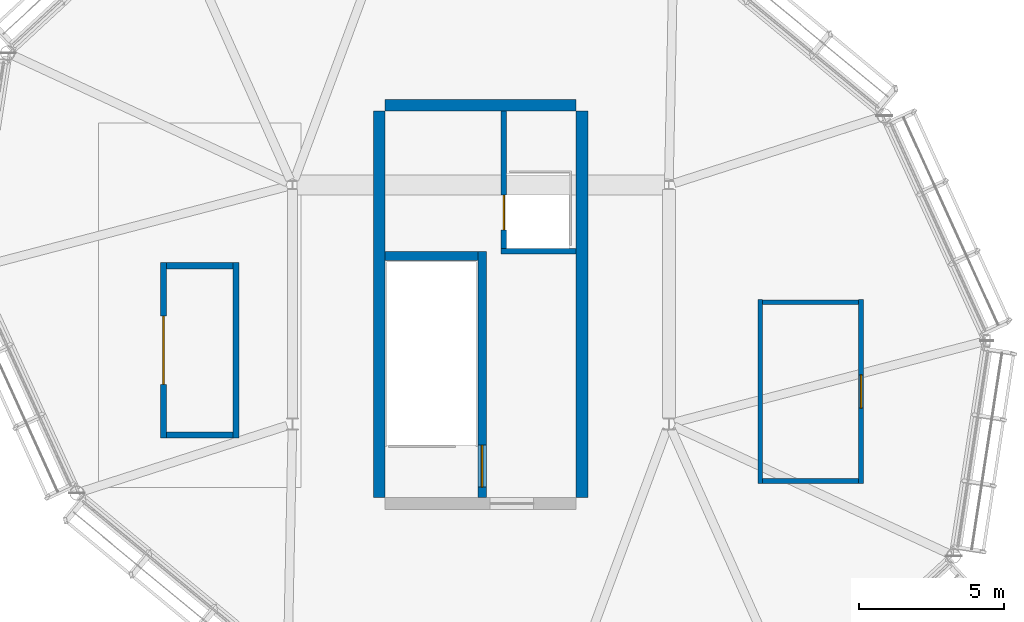
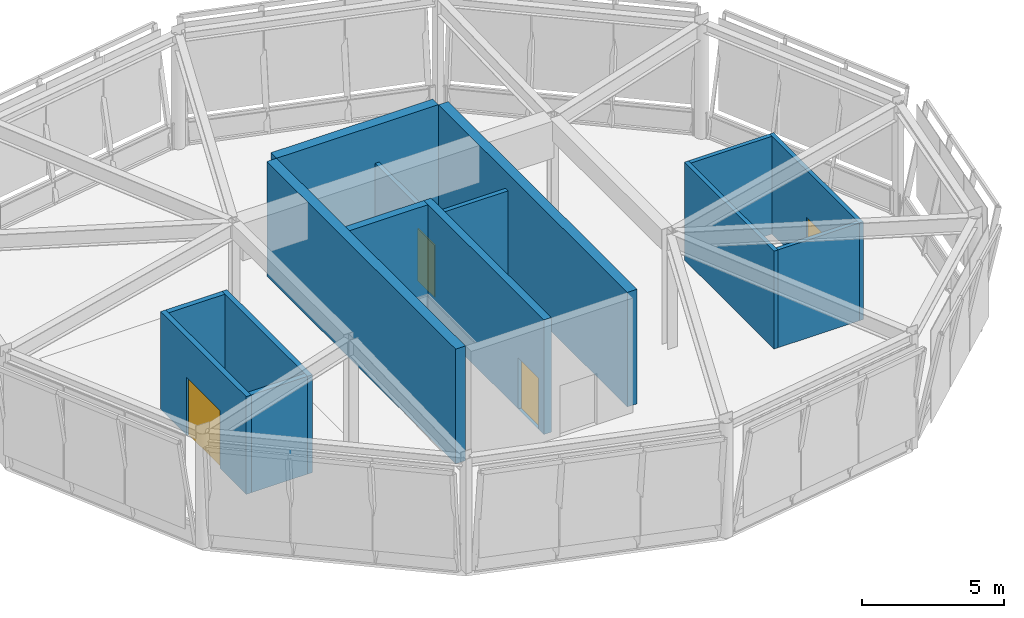
# One storey, part 104 of 113: 15 walls, 4 doors, 4 openings.
"""IFC4 building model written with IfcOpenShell, lengths in metres."""

from ifc_helpers import new_model, si_unit, direction, frame, frame_2d, origin, place, context, subcontext, project, spatial, rectangle, extrude, material, layer, layer_set, type_object, element, fill, save


model = new_model("IFC4")

# Units and contexts
model_context = context("Model", 3, precision=1e-05, world=origin(), true_north=direction((0.0, 1.0)))
body_context = subcontext(model_context, "Body", "Model", "MODEL_VIEW")
ifc_project = project(units=[si_unit("LENGTHUNIT", "METRE"), si_unit("AREAUNIT", "SQUARE_METRE"), si_unit("VOLUMEUNIT", "CUBIC_METRE"), si_unit("PLANEANGLEUNIT", "RADIAN"), si_unit("MASSUNIT", "GRAM", prefix="KILO")], contexts=[model_context])

# Site, building, storey
site_placement = place(None, origin())
site = spatial("IfcSite", under=ifc_project, at=site_placement, CompositionType="ELEMENT")
building_placement = place(site_placement, origin())
building = spatial("IfcBuilding", under=site, at=building_placement, Name="Linyun Crest Stadium", CompositionType="ELEMENT")
storey_placement = place(building_placement, frame((0.0, 0.0, 26.39990234375)))
storey = spatial("IfcBuildingStorey", under=building, at=storey_placement, Name="L06", CompositionType="ELEMENT", Elevation=26.39990234375)

# Walls
ifc_material_1 = material(Name="Concrete C50", Category="concrete")
ifc_layer_1 = layer(ifc_material_1, 0.39990234375)
ifc_layer_set_1 = layer_set([ifc_layer_1], Name="Concrete C50")
wall_type_1 = type_object("IfcWallType", Name="CW02", PredefinedType="SHEAR", material=ifc_layer_set_1)
for number, where, z_axis, x_axis, name in (
    (1, (-77.0, 77.949951171875, 0.0), (0.0, 0.0, 1.0), (0.0, 1.0, 0.0), "Core shear wall CW02 CORE-PNW L06.1"),
    (2, (-70.0, 77.949951171875, 0.0), (0.0, 0.0, 1.0), (0.0, 1.0, 0.0), "Core shear wall CW02 CORE-PNW L06.2"),
):
    element("IfcWall", number, at=place(storey_placement, frame(where, z_axis=z_axis, x_axis=x_axis)), inside=storey, type_object=wall_type_1, Name=name, PredefinedType="SHEAR", context=body_context, shape_type="SweptSolid", body=[
        extrude(rectangle(XDim=13.35009765625, YDim=0.39990234375, at=frame_2d((6.675048828125, 0.0))), origin(), (0.0, 0.0, 1.0), 4.945068359375),
    ])
wall_1_placement = place(storey_placement, frame((-76.800048828125, 91.5, 0.0), z_axis=(0.0, 0.0, 1.0), x_axis=(1.0, 0.0, 0.0)))
element("IfcWall", 3, at=wall_1_placement, inside=storey, type_object=wall_type_1, Name="Core shear wall CW02 CORE-PNW L06.4", PredefinedType="SHEAR", context=body_context, shape_type="SweptSolid", body=[
    extrude(rectangle(XDim=6.60009765625, YDim=0.39990234375, at=frame_2d((3.300048828125, 0.0))), origin(), (0.0, 0.0, 1.0), 4.945068359375),
])

# Wall, opening, door
ifc_material_2 = material(Name="Autoclaved aerated concrete block fire partition", Category="concrete")
ifc_layer_2 = layer(ifc_material_2, 0.179931640625)
ifc_layer_set_2 = layer_set([ifc_layer_2], Name="Autoclaved aerated concrete block fire partition")
wall_type_2 = type_object("IfcWallType", Name="PW12", PredefinedType="PARTITIONING", material=ifc_layer_set_2)
wall_2_placement = place(storey_placement, frame((-72.699951171875, 86.550048828125, 0.0), z_axis=(0.0, 0.0, 1.0), x_axis=(0.0, 1.0, 0.0)))
wall_2 = element("IfcWall", 4, at=wall_2_placement, inside=storey, type_object=wall_type_2, Name="Partition PW12 L06 137", PredefinedType="PARTITIONING", context=body_context, shape_type="SweptSolid", body=[
    extrude(rectangle(XDim=4.75, YDim=0.179931640625, at=frame_2d((2.375, 0.0))), origin(), (0.0, 0.0, 1.0), 3.320068359375),
])
opening_1_placement = place(wall_2_placement, frame((0.64990234375, 0.0, 0.0)))
opening_1 = element("IfcOpeningElement", 5, at=opening_1_placement, cuts=wall_2, Name="Opening LD113", PredefinedType="OPENING", context=body_context, shape_type="SweptSolid", body=[
    extrude(rectangle(XDim=1.199951171875, YDim=2.25, at=frame_2d((0.60009765625, 1.125))), frame((0.0, 0.099853515625, 0.0), z_axis=(0.0, -1.0, 0.0), x_axis=(1.0, 0.0, 0.0)), (0.0, 0.0, 1.0), 0.199951171875),
])
ifc_material_3 = material(Name="Brushed stainless sliding lift door")
ifc_layer_3 = layer(ifc_material_3, 0.050048828125)
ifc_layer_set_3 = layer_set([ifc_layer_3], Name="Brushed stainless sliding lift door")
door_type_1 = type_object("IfcDoorType", Name="LD02", OperationType="NOTDEFINED", PredefinedType="DOOR", material=ifc_layer_set_3)
door_1_placement = place(opening_1_placement, origin())
door_1 = element("IfcDoor", 6, at=door_1_placement, inside=storey, type_object=door_type_1, Name="Lift landing door LD113", OperationType="DOUBLE_DOOR_SLIDING", OverallHeight=2.25, OverallWidth=1.199951171875, PredefinedType="DOOR", context=body_context, shape_type="SweptSolid", body=[
    extrude(rectangle(XDim=1.199951171875, YDim=2.25, at=frame_2d((0.60009765625, 1.125))), frame((0.0, 0.02490234375, 0.0), z_axis=(0.0, -1.0, 0.0), x_axis=(1.0, 0.0, 0.0)), (0.0, 0.0, 1.0), 0.050048828125),
])
fill(opening_1, door_1)

# Wall
wall_3_placement = place(storey_placement, frame((-72.7900390625, 86.4599609375, 0.0), z_axis=(0.0, 0.0, 1.0), x_axis=(1.0, 0.0, 0.0)))
element("IfcWall", 7, at=wall_3_placement, inside=storey, type_object=wall_type_2, Name="Enclosure partition PW12 L06 129", PredefinedType="PARTITIONING", context=body_context, shape_type="SweptSolid", body=[
    extrude(rectangle(XDim=2.590087890625, YDim=0.179931640625, at=frame_2d((1.294921875, 0.0))), origin(), (0.0, 0.0, 1.0), 4.22021484375),
])

# Wall, opening, door
ifc_material_4 = material(Name="Double steel-stud acoustic fire partition", Category="steel")
ifc_layer_4 = layer(ifc_material_4, 0.1650390625)
ifc_layer_set_4 = layer_set([ifc_layer_4], Name="Double steel-stud acoustic fire partition")
wall_type_3 = type_object("IfcWallType", Name="PW13", PredefinedType="PARTITIONING", material=ifc_layer_set_4)
wall_4_placement = place(storey_placement, frame((-60.362060546875, 84.7880859375, 0.0), z_axis=(0.0, 0.0, 1.0), x_axis=(0.0, -1.0, 0.0)))
wall_4 = element("IfcWall", 8, at=wall_4_placement, inside=storey, type_object=wall_type_3, Name="Partition PW13 L06 245", PredefinedType="PARTITIONING", context=body_context, shape_type="SweptSolid", body=[
    extrude(rectangle(XDim=6.340087890625, YDim=0.1650390625, at=frame_2d((3.169921875, 0.0))), origin(), (0.0, 0.0, 1.0), 4.22021484375),
])
opening_2_placement = place(wall_4_placement, frame((2.594970703125, 0.0, 0.0)))
opening_2 = element("IfcOpeningElement", 9, at=opening_2_placement, cuts=wall_4, Name="Opening D-L06-508", PredefinedType="OPENING", context=body_context, shape_type="SweptSolid", body=[
    extrude(rectangle(XDim=1.14990234375, YDim=2.199951171875, at=frame_2d((0.574951171875, 1.10009765625))), frame((0.0, 0.092529296875, 0.0), z_axis=(0.0, -1.0, 0.0), x_axis=(1.0, 0.0, 0.0)), (0.0, 0.0, 1.0), 0.18505859375),
])
ifc_material_5 = material(Name="Solid timber acoustic door", Category="wood")
ifc_layer_5 = layer(ifc_material_5, 0.050048828125)
ifc_layer_set_5 = layer_set([ifc_layer_5], Name="Solid timber acoustic door")
door_type_2 = type_object("IfcDoorType", Name="ID15", OperationType="NOTDEFINED", PredefinedType="DOOR", material=ifc_layer_set_5)
door_2_placement = place(opening_2_placement, origin())
door_2 = element("IfcDoor", 10, at=door_2_placement, inside=storey, type_object=door_type_2, Name="Door D-L06-508", OperationType="SINGLE_SWING_RIGHT", OverallHeight=2.199951171875, OverallWidth=1.14990234375, PredefinedType="DOOR", context=body_context, shape_type="SweptSolid", body=[
    extrude(rectangle(XDim=1.14990234375, YDim=2.199951171875, at=frame_2d((0.574951171875, 1.10009765625))), frame((0.0, 0.02490234375, 0.0), z_axis=(0.0, -1.0, 0.0), x_axis=(1.0, 0.0, 0.0)), (0.0, 0.0, 1.0), 0.050048828125),
])
fill(opening_2, door_2)

# Walls
wall_5_placement = place(storey_placement, frame((-63.842041015625, 78.447998046875, 0.0), z_axis=(0.0, 0.0, 1.0), x_axis=(0.0, 1.0, 0.0)))
element("IfcWall", 11, at=wall_5_placement, inside=storey, type_object=wall_type_3, Name="Enclosure partition PW13 L06 451", PredefinedType="PARTITIONING", context=body_context, shape_type="SweptSolid", body=[
    extrude(rectangle(XDim=6.340087890625, YDim=0.1650390625, at=frame_2d((3.169921875, 0.0))), origin(), (0.0, 0.0, 1.0), 4.22021484375),
])
for number, where, z_axis, x_axis, name in (
    (12, (-63.759033203125, 78.531005859375, 0.0), (0.0, 0.0, 1.0), (1.0, 0.0, 0.0), "Enclosure partition PW13 L06 452"),
    (13, (-63.759033203125, 84.705078125, 0.0), (0.0, 0.0, 1.0), (1.0, 0.0, 0.0), "Enclosure partition PW13 L06 453"),
):
    element("IfcWall", number, at=place(storey_placement, frame(where, z_axis=z_axis, x_axis=x_axis)), inside=storey, type_object=wall_type_3, Name=name, PredefinedType="PARTITIONING", context=body_context, shape_type="SweptSolid", body=[
        extrude(rectangle(XDim=3.31396484375, YDim=0.1650390625, at=frame_2d((1.656982421875, 0.0))), origin(), (0.0, 0.0, 1.0), 4.22021484375),
    ])

# Wall, opening, door
ifc_material_6 = material(Name="Kitchen hood and service riser enclosure wall")
ifc_layer_6 = layer(ifc_material_6, 0.2099609375)
ifc_layer_set_6 = layer_set([ifc_layer_6], Name="Kitchen hood and service riser enclosure wall")
wall_type_4 = type_object("IfcWallType", Name="PW26", PredefinedType="PARTITIONING", material=ifc_layer_set_6)
wall_6_placement = place(storey_placement, frame((-84.449951171875, 80.01806640625, 0.0), z_axis=(0.0, 0.0, 1.0), x_axis=(0.0, 1.0, 0.0)))
wall_6 = element("IfcWall", 14, at=wall_6_placement, inside=storey, type_object=wall_type_4, Name="Partition PW26 L06 244", PredefinedType="PARTITIONING", context=body_context, shape_type="SweptSolid", body=[
    extrude(rectangle(XDim=6.050048828125, YDim=0.2099609375, at=frame_2d((3.02490234375, 0.0))), origin(), (0.0, 0.0, 1.0), 4.22021484375),
])
opening_3_placement = place(wall_6_placement, frame((1.85009765625, 0.0, 0.0)))
opening_3 = element("IfcOpeningElement", 15, at=opening_3_placement, cuts=wall_6, Name="Opening D-L06-507", PredefinedType="OPENING", context=body_context, shape_type="SweptSolid", body=[
    extrude(rectangle(XDim=2.35009765625, YDim=2.5, at=frame_2d((1.175048828125, 1.25))), frame((0.0, 0.114990234375, 0.0), z_axis=(0.0, -1.0, 0.0), x_axis=(1.0, 0.0, 0.0)), (0.0, 0.0, 1.0), 0.22998046875),
])
ifc_material_7 = material(Name="Wide impact-resistant double leaf")
ifc_layer_7 = layer(ifc_material_7, 0.054931640625)
ifc_layer_set_7 = layer_set([ifc_layer_7], Name="Wide impact-resistant double leaf")
door_type_3 = type_object("IfcDoorType", Name="ID14", OperationType="NOTDEFINED", PredefinedType="DOOR", material=ifc_layer_set_7)
door_3_placement = place(opening_3_placement, origin())
door_3 = element("IfcDoor", 16, at=door_3_placement, inside=storey, type_object=door_type_3, Name="Door D-L06-507", OperationType="DOUBLE_DOOR_SINGLE_SWING", OverallHeight=2.5, OverallWidth=2.35009765625, PredefinedType="DOOR", context=body_context, shape_type="SweptSolid", body=[
    extrude(rectangle(XDim=2.35009765625, YDim=2.5, at=frame_2d((1.175048828125, 1.25))), frame((0.0, 0.02490234375, 0.0), z_axis=(0.0, -1.0, 0.0), x_axis=(1.0, 0.0, 0.0)), (0.0, 0.0, 1.0), 0.050048828125),
])
fill(opening_3, door_3)

# Walls
wall_7_placement = place(storey_placement, frame((-81.949951171875, 80.01806640625, 0.0), z_axis=(0.0, 0.0, 1.0), x_axis=(0.0, 1.0, 0.0)))
element("IfcWall", 17, at=wall_7_placement, inside=storey, type_object=wall_type_4, Name="Enclosure partition PW26 L06 448", PredefinedType="PARTITIONING", context=body_context, shape_type="SweptSolid", body=[
    extrude(rectangle(XDim=6.050048828125, YDim=0.2099609375, at=frame_2d((3.02490234375, 0.0))), origin(), (0.0, 0.0, 1.0), 4.22021484375),
])
for number, where, z_axis, x_axis, name in (
    (18, (-84.344970703125, 80.123046875, 0.0), (0.0, 0.0, 1.0), (1.0, 0.0, 0.0), "Enclosure partition PW26 L06 449"),
    (19, (-84.344970703125, 85.962890625, 0.0), (0.0, 0.0, 1.0), (1.0, 0.0, 0.0), "Enclosure partition PW26 L06 450"),
):
    element("IfcWall", number, at=place(storey_placement, frame(where, z_axis=z_axis, x_axis=x_axis)), inside=storey, type_object=wall_type_4, Name=name, PredefinedType="PARTITIONING", context=body_context, shape_type="SweptSolid", body=[
        extrude(rectangle(XDim=2.2900390625, YDim=0.2099609375, at=frame_2d((1.14501953125, 0.0))), origin(), (0.0, 0.0, 1.0), 4.22021484375),
    ])

# Wall, opening, door
ifc_material_8 = material(Name="Concrete C50", Category="concrete")
ifc_layer_8 = layer(ifc_material_8, 0.300048828125)
ifc_layer_set_8 = layer_set([ifc_layer_8], Name="Concrete C50")
wall_type_5 = type_object("IfcWallType", Name="SW01", PredefinedType="SHEAR", material=ifc_layer_set_8)
wall_8_placement = place(storey_placement, frame((-73.449951171875, 77.949951171875, 0.0), z_axis=(0.0, 0.0, 1.0), x_axis=(0.0, 1.0, 0.0)))
wall_8 = element("IfcWall", 20, at=wall_8_placement, inside=storey, type_object=wall_type_5, Name="Core stair east bearing wall SW01 11 L06", PredefinedType="SHEAR", context=body_context, shape_type="SweptSolid", body=[
    extrude(rectangle(XDim=8.5, YDim=0.300048828125, at=frame_2d((4.25, 0.0))), origin(), (0.0, 0.0, 1.0), 4.945068359375),
])
opening_4_placement = place(wall_8_placement, frame((0.3701171875, 0.0, 0.0)))
opening_4 = element("IfcOpeningElement", 21, at=opening_4_placement, cuts=wall_8, Name="Opening D-L06-385", PredefinedType="OPENING", context=body_context, shape_type="SweptSolid", body=[
    extrude(rectangle(XDim=1.449951171875, YDim=2.199951171875, at=frame_2d((0.72509765625, 1.10009765625))), frame((0.0, 0.159912109375, 0.0), z_axis=(0.0, -1.0, 0.0), x_axis=(1.0, 0.0, 0.0)), (0.0, 0.0, 1.0), 0.320068359375),
])
ifc_material_9 = material(Name="Galvanized steel Class A fire door", Category="steel")
ifc_layer_9 = layer(ifc_material_9, 0.054931640625)
ifc_layer_set_9 = layer_set([ifc_layer_9], Name="Galvanized steel Class A fire door")
door_type_4 = type_object("IfcDoorType", Name="FD02", OperationType="NOTDEFINED", PredefinedType="DOOR", material=ifc_layer_set_9)
door_4_placement = place(opening_4_placement, origin())
door_4 = element("IfcDoor", 22, at=door_4_placement, inside=storey, type_object=door_type_4, Name="Door D-L06-385", OperationType="SINGLE_SWING_LEFT", OverallHeight=2.199951171875, OverallWidth=1.449951171875, PredefinedType="DOOR", context=body_context, shape_type="SweptSolid", body=[
    extrude(rectangle(XDim=1.449951171875, YDim=2.199951171875, at=frame_2d((0.72509765625, 1.10009765625))), frame((0.0, 0.02490234375, 0.0), z_axis=(0.0, -1.0, 0.0), x_axis=(1.0, 0.0, 0.0)), (0.0, 0.0, 1.0), 0.050048828125),
])
fill(opening_4, door_4)

# Wall
wall_9_placement = place(storey_placement, frame((-76.800048828125, 86.300048828125, 0.0), z_axis=(0.0, 0.0, 1.0), x_axis=(1.0, 0.0, 0.0)))
element("IfcWall", 23, at=wall_9_placement, inside=storey, type_object=wall_type_5, Name="Core stair bearing wall SW01 11 L06", PredefinedType="SHEAR", context=body_context, shape_type="SweptSolid", body=[
    extrude(rectangle(XDim=3.199951171875, YDim=0.300048828125, at=frame_2d((1.60009765625, 0.0))), origin(), (0.0, 0.0, 1.0), 4.945068359375),
])

save(model, "model.ifc")
